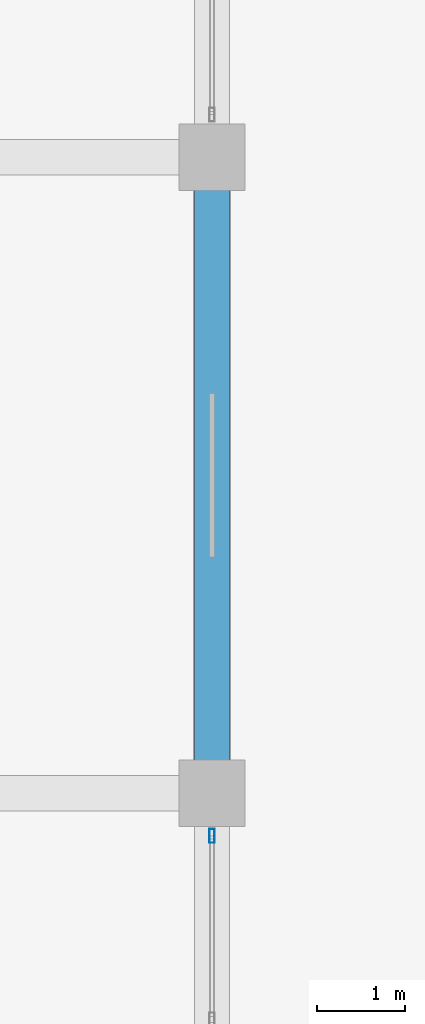
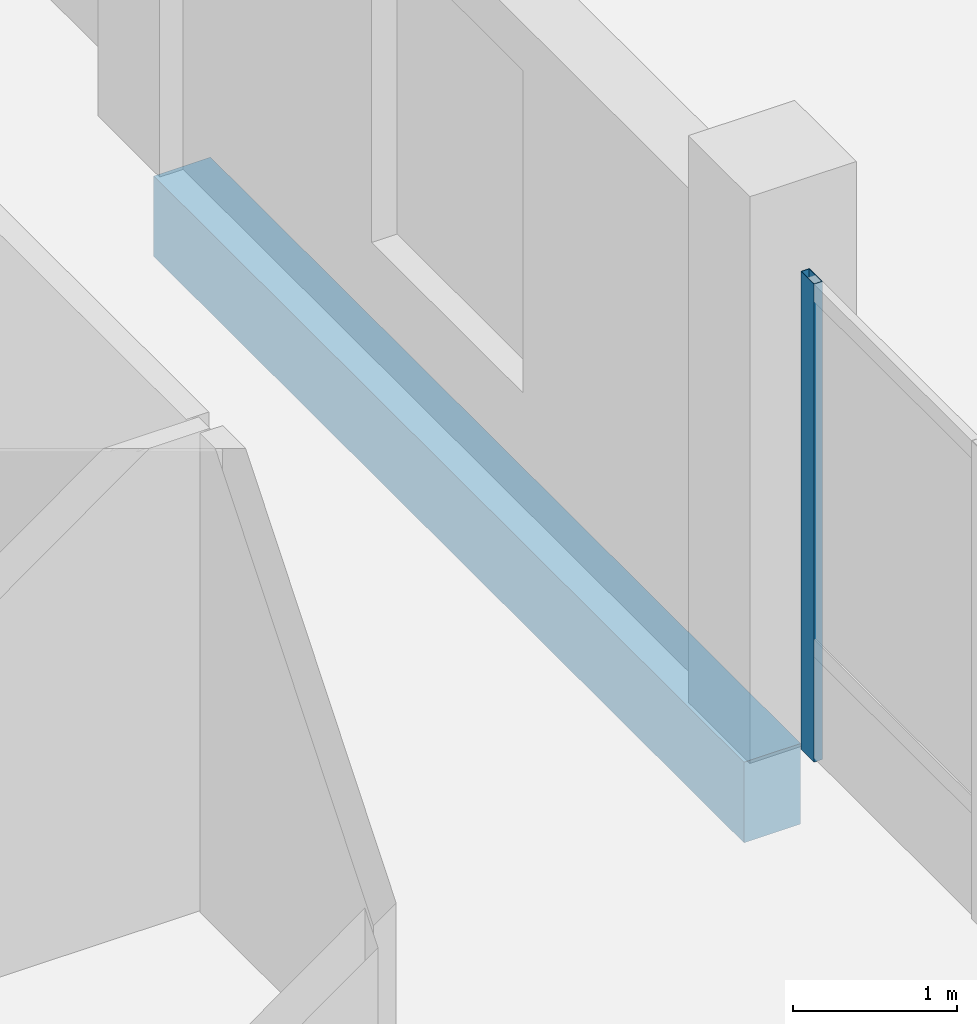
# One storey, part 20 of 98: 1 beam, 1 member, 1 element without a shape of its own.
"""IFC4 building model written with IfcOpenShell, lengths in metres."""

import ifcopenshell
import ifcopenshell.guid

model = None  # the IFC model being written
_history = None  # IfcOwnerHistory: only IFC2X3 demands one
_inside = {}  # id of a spatial element -> (the spatial element, [elements in it])
_under = {}  # id of a project, library or spatial element -> (it, [spatial elements below it])
_declared = {}  # id of a project -> (the project, [libraries it declares])
_typed = {}  # id of a type object -> (the type object, [elements of that type])
_made_of = {}  # id of a material, layer set ... -> (it, [elements and type objects made of it])


def new_model(schema):
    """Start an empty IFC model of exactly this schema.

    Asked for "IFC4X3", IfcOpenShell would pick the latest addendum, in which some entities
    have other attributes; the version numbers below select the first issue.
    IFC2X3 requires an IfcOwnerHistory on every rooted entity: one is made here for all.
    """
    global model, _history
    if schema == "IFC4X3":
        model = ifcopenshell.file(schema_version=(4, 3, 0, 0))
    else:
        model = ifcopenshell.file(schema=schema)
    _inside.clear()
    _under.clear()
    _declared.clear()
    _typed.clear()
    _made_of.clear()
    _history = None
    if model.schema == "IFC2X3":
        org = make("IfcOrganization", Name="unknown")
        user = make(
            "IfcPersonAndOrganization",
            ThePerson=make("IfcPerson", FamilyName="unknown"),
            TheOrganization=org,
        )
        app = make(
            "IfcApplication",
            ApplicationDeveloper=org,
            Version="unknown",
            ApplicationFullName="unknown",
            ApplicationIdentifier="unknown",
        )
        _history = make(
            "IfcOwnerHistory",
            OwningUser=user,
            OwningApplication=app,
            ChangeAction="ADDED",
            CreationDate=0,
        )
    return model


def make(cls, **values):
    """One entity of the class cls with the attributes given. An attribute that is None is left unset."""
    return model.create_entity(
        cls, **{name: value for name, value in values.items() if value is not None}
    )


def rooted(cls, **values):
    """An entity with a GlobalId (a new one), such as an element, a storey or a relation."""
    return make(cls, GlobalId=ifcopenshell.guid.new(), OwnerHistory=_history, **values)


def si_unit(unit_type, name, prefix=None):
    """IfcSIUnit, for example si_unit("LENGTHUNIT", "METRE", prefix="MILLI")."""
    return make("IfcSIUnit", UnitType=unit_type, Prefix=prefix, Name=name)


def assignment(units):
    """IfcUnitAssignment: the units of a project."""
    return None if units is None else make("IfcUnitAssignment", Units=units)


def point(xyz):
    """IfcCartesianPoint."""
    return None if xyz is None else make("IfcCartesianPoint", Coordinates=xyz)


def direction(xyz):
    """IfcDirection."""
    return None if xyz is None else make("IfcDirection", DirectionRatios=xyz)


def frame(location, z_axis=None, x_axis=None):
    """IfcAxis2Placement3D, a coordinate frame: its origin and axes. An axis left out is left unset."""
    return make(
        "IfcAxis2Placement3D",
        Location=point(location),
        Axis=direction(z_axis),
        RefDirection=direction(x_axis),
    )


def frame_2d(location, x_axis=None):
    """IfcAxis2Placement2D, a coordinate frame in the plane: its origin and x axis."""
    return make(
        "IfcAxis2Placement2D", Location=point(location), RefDirection=direction(x_axis)
    )


def origin():
    """The frame at (0, 0, 0) with its axes left unset."""
    return frame((0.0, 0.0, 0.0))


def origin_2d():
    """The frame at (0, 0) in the plane with its x axis left unset."""
    return frame_2d((0.0, 0.0))


def place(relative_to, where):
    """IfcLocalPlacement: puts the frame where relative to a parent placement (None: the world)."""
    return make(
        "IfcLocalPlacement", PlacementRelTo=relative_to, RelativePlacement=where
    )


def context(
    kind, dimensions, precision=None, world=None, true_north=None, identifier=None
):
    """IfcGeometricRepresentationContext, for example the 3D "Model" context."""
    return make(
        "IfcGeometricRepresentationContext",
        ContextIdentifier=identifier,
        ContextType=kind,
        CoordinateSpaceDimension=dimensions,
        Precision=precision,
        WorldCoordinateSystem=world,
        TrueNorth=true_north,
    )


def subcontext(parent, identifier, kind, view, scale=None):
    """IfcGeometricRepresentationSubContext, for example "Body" below "Model"."""
    return make(
        "IfcGeometricRepresentationSubContext",
        ContextIdentifier=identifier,
        ContextType=kind,
        ParentContext=parent,
        TargetScale=scale,
        TargetView=view,
    )


def project(units=None, contexts=None):
    """IfcProject with its units and contexts."""
    return rooted(
        "IfcProject",
        Name="project",
        RepresentationContexts=contexts,
        UnitsInContext=assignment(units),
    )


def spatial(cls, under=None, at=None, **own):
    """A site, building, storey or space (cls), placed at a placement, below another one or the project."""
    s = rooted(cls, ObjectPlacement=at, **own)
    if under is not None:
        _under.setdefault(under.id(), (under, []))[1].append(s)
    return s


def profile(cls, at=None, kind="AREA", **sizes):
    """A parametric profile (cls). Its sizes go by their IFC names, for example OverallWidth=200.0."""
    return make(cls, ProfileType=kind, Position=at, **sizes)


def rectangle(**sizes):
    """IfcRectangleProfileDef."""
    return profile("IfcRectangleProfileDef", **sizes)


def hollow_rectangle(**sizes):
    """IfcRectangleHollowProfileDef."""
    return profile("IfcRectangleHollowProfileDef", **sizes)


def extrude(swept, where, along, depth):
    """IfcExtrudedAreaSolid: the profile swept, set in the frame where, extruded along a direction by depth."""
    return make(
        "IfcExtrudedAreaSolid",
        SweptArea=swept,
        Position=where,
        ExtrudedDirection=direction(along),
        Depth=depth,
    )


def shape(context_of_items, identifier, shape_type, items):
    """IfcShapeRepresentation: the items that make up one representation, for example the "Body"."""
    return make(
        "IfcShapeRepresentation",
        ContextOfItems=context_of_items,
        RepresentationIdentifier=identifier,
        RepresentationType=shape_type,
        Items=items,
    )


def material(Name=None, Category=None):
    """IfcMaterial."""
    return make("IfcMaterial", Name=Name, Category=Category)


def material_profile(
    of_material, cross_section, Name=None, Category=None, Priority=None
):
    """IfcMaterialProfile: a cross section and its material."""
    return make(
        "IfcMaterialProfile",
        Name=Name,
        Material=of_material,
        Profile=cross_section,
        Priority=Priority,
        Category=Category,
    )


def profile_set(profiles, Name=None, composite=None):
    """IfcMaterialProfileSet."""
    return make(
        "IfcMaterialProfileSet",
        Name=Name,
        MaterialProfiles=profiles,
        CompositeProfile=composite,
    )


def made_of(thing, what):
    """Note that an element or type object is made of a material, layer set ...; save() writes the relation."""
    if what is not None:
        _made_of.setdefault(what.id(), (what, []))[1].append(thing)
    return thing


def type_object(cls, material=None, **own):
    """A type object (cls), such as IfcWallType, which elements share."""
    return made_of(rooted(cls, **own), material)


def element(
    cls,
    number,
    at=None,
    inside=None,
    cuts=None,
    type_object=None,
    material=None,
    context=None,
    identifier="Body",
    shape_type=None,
    held_by="IfcProductDefinitionShape",
    body=None,
    shapes=None,
    **own,
):
    """One element of the class cls, such as IfcWall. Its Tag is "e" and its number.

    at: its placement. inside: the storey or other place that contains it. cuts: it is an
    opening in that element (IfcRelVoidsElement). A single representation is given by context,
    identifier, shape_type and body (its items); several are given by shapes. held_by: the class
    of the entity that holds the representations. save() writes the other relations.
    """
    e = rooted(cls, Tag="e%d" % number, ObjectPlacement=at, **own)
    if body is not None:
        shapes = [shape(context, identifier, shape_type, body)]
    if shapes is not None:
        e.Representation = make(held_by, Representations=shapes)
    if inside is not None:
        _inside.setdefault(inside.id(), (inside, []))[1].append(e)
    if cuts is not None:
        rooted(
            "IfcRelVoidsElement", RelatingBuildingElement=cuts, RelatedOpeningElement=e
        )
    if type_object is not None:
        _typed.setdefault(type_object.id(), (type_object, []))[1].append(e)
    return made_of(e, material)


def aggregate(whole, parts):
    """IfcRelAggregates: a whole, such as a stair, and the parts it consists of."""
    return rooted("IfcRelAggregates", RelatingObject=whole, RelatedObjects=parts)


def save(model, path):
    """Write the relations noted so far, then the file.

    IfcRelAggregates (storeys below a building ...), IfcRelContainedInSpatialStructure (elements
    in a storey), IfcRelDefinesByType, IfcRelAssociatesMaterial and IfcRelDeclares: one each for
    every whole, place, type object, material and project.
    """
    for whole, parts in _under.values():
        aggregate(whole, parts)
    for where, things in _inside.values():
        rooted(
            "IfcRelContainedInSpatialStructure",
            RelatedElements=things,
            RelatingStructure=where,
        )
    for kind, things in _typed.values():
        rooted("IfcRelDefinesByType", RelatedObjects=things, RelatingType=kind)
    for what, things in _made_of.values():
        rooted("IfcRelAssociatesMaterial", RelatedObjects=things, RelatingMaterial=what)
    for by, libraries in _declared.values():
        rooted("IfcRelDeclares", RelatingContext=by, RelatedDefinitions=libraries)
    model.write(path)


model = new_model("IFC4")

# Units and contexts
model_context = context("Model", 3, precision=1e-05, world=origin(), true_north=direction((0.0, 1.0)))
body_context = subcontext(model_context, "Body", "Model", "MODEL_VIEW")
ifc_project = project(units=[si_unit("LENGTHUNIT", "METRE"), si_unit("AREAUNIT", "SQUARE_METRE"), si_unit("VOLUMEUNIT", "CUBIC_METRE"), si_unit("PLANEANGLEUNIT", "RADIAN"), si_unit("MASSUNIT", "GRAM", prefix="KILO")], contexts=[model_context])

# Site, building, storey
site_placement = place(None, origin())
site = spatial("IfcSite", under=ifc_project, at=site_placement, CompositionType="ELEMENT")
building_placement = place(site_placement, origin())
building = spatial("IfcBuilding", under=site, at=building_placement, Name="Zornivar Specialist Clinic", CompositionType="ELEMENT")
storey_placement = place(building_placement, origin())
storey = spatial("IfcBuildingStorey", under=building, at=storey_placement, Name="L00", CompositionType="ELEMENT", Elevation=0.0)

# Beam
ifc_material_1 = material(Name="Concrete C30/37", Category="concrete")
ifc_material_profile_1 = material_profile(ifc_material_1, rectangle(XDim=0.39990234375, YDim=0.60009765625, at=origin_2d()), Name="RC 400x600")
ifc_profile_set_1 = profile_set([ifc_material_profile_1], Name="Concrete C30/37")
beam_type = type_object("IfcBeamType", Name="BM-RC-400x600", PredefinedType="BEAM", material=ifc_profile_set_1)
beam_placement = place(storey_placement, frame((14.39990234375, 21.60009765625, -0.580078125), z_axis=(0.0, 1.0, 0.0), x_axis=(-1.0, 0.0, 0.0)))
element("IfcBeam", 1, at=beam_placement, inside=storey, type_object=beam_type, Name="bm:V2:L00:y:144:3", PredefinedType="BEAM", context=body_context, shape_type="SweptSolid", body=[
    extrude(rectangle(XDim=0.39990234375, YDim=0.60009765625, at=origin_2d()), origin(), (0.0, 0.0, 1.0), 7.199951171875),
])

# Curtain wall, member
ifc_material_2 = material(Name="Aluminium and Low-E Glass Curtain Wall", Category="aluminium")
curtain_wall_type = type_object("IfcCurtainWallType", Name="CW-REVAK-COURT", PredefinedType="NOTDEFINED", material=ifc_material_2)
curtain_wall_placement = place(storey_placement, origin())
curtain_wall = element("IfcCurtainWall", 2, at=curtain_wall_placement, inside=storey, type_object=curtain_wall_type, Name="cw:V2:L00:14", PredefinedType="NOTDEFINED")
ifc_material_3 = material(Name="Aluminium AW-6060", Category="aluminium")
ifc_material_profile_2 = material_profile(ifc_material_3, hollow_rectangle(XDim=0.06005859375, YDim=0.159912109375, WallThickness=0.00390625, at=origin_2d()), Name="ALU 60x160x4")
ifc_profile_set_2 = profile_set([ifc_material_profile_2], Name="Aluminium AW-6060")
member_type = type_object("IfcMemberType", Name="CWM-MUL-160", PredefinedType="MULLION", material=ifc_profile_set_2)
member_placement = place(storey_placement, frame((14.39990234375, 21.1201171875, 0.0), z_axis=(0.0, 0.0, 1.0), x_axis=(1.0, 0.0, 0.0)))
member = element("IfcMember", 3, at=member_placement, type_object=member_type, Name="cw:V2:L00:14:mul:3", PredefinedType="MULLION", context=body_context, shape_type="SweptSolid", body=[
    extrude(hollow_rectangle(XDim=0.06005859375, YDim=0.159912109375, WallThickness=0.00390625, at=origin_2d()), origin(), (0.0, 0.0, 1.0), 3.56005859375),
])
aggregate(curtain_wall, [member])

save(model, "model.ifc")
